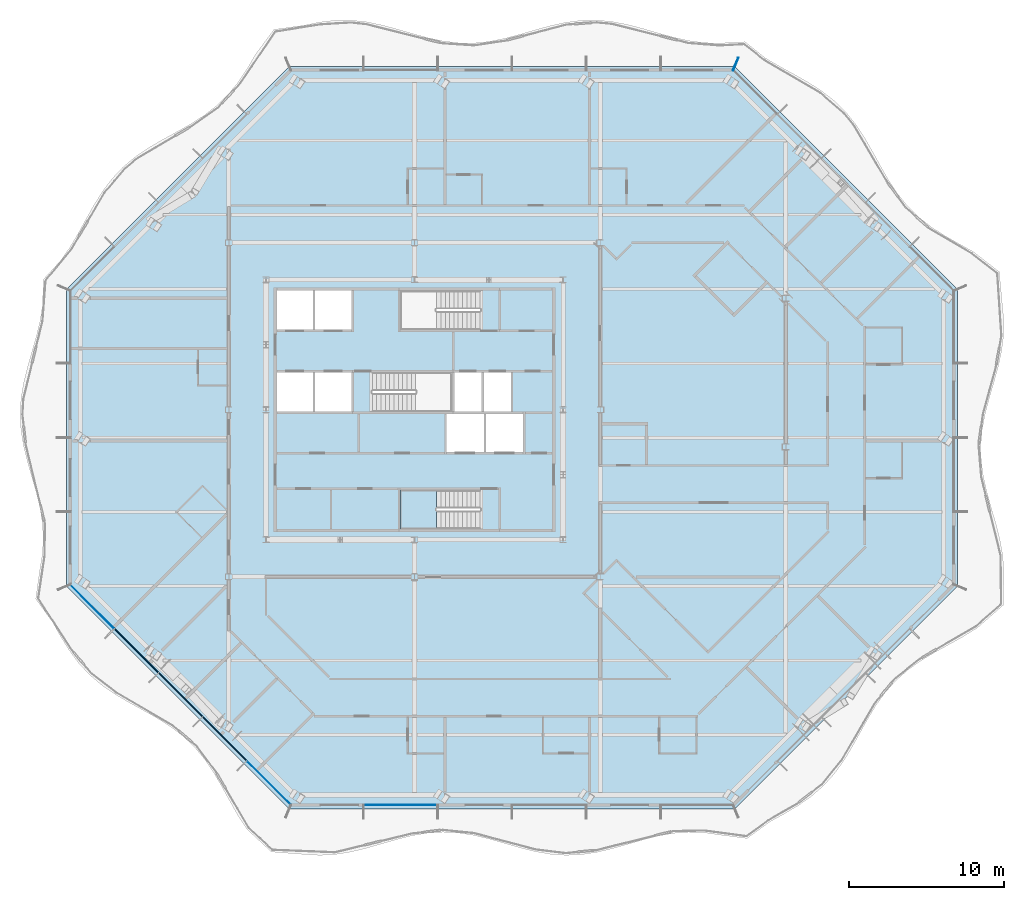
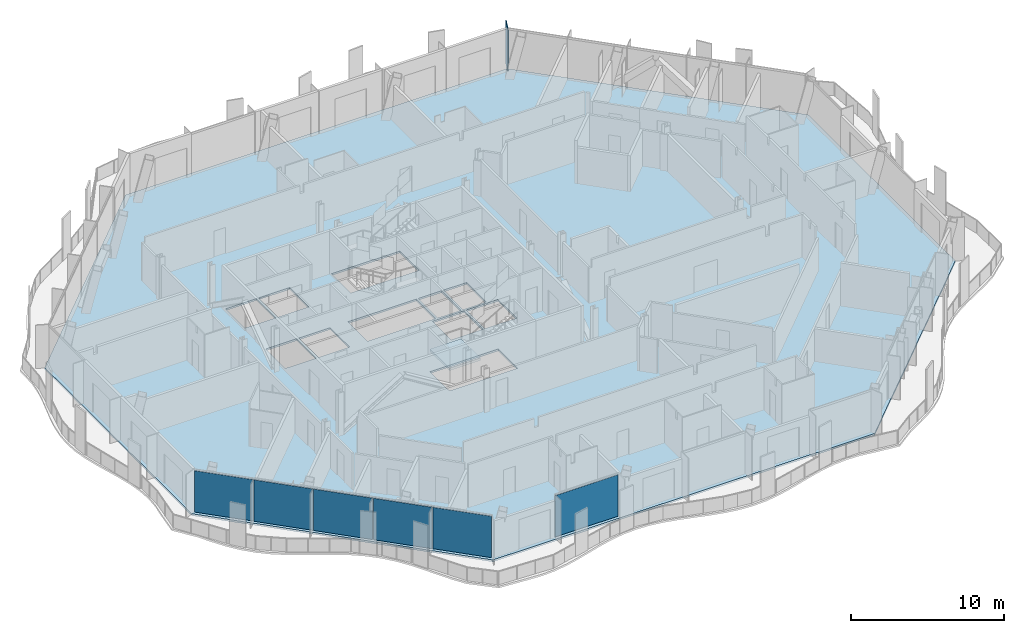
# One storey, part 6 of 19: 6 plates, 2 slabs, 1 member, 4 elements without a shape of their own.
"""IFC4 building model written with IfcOpenShell, lengths in metres."""

from ifc_helpers import new_model, si_unit, direction, frame, origin, origin_2d, place, context, subcontext, project, spatial, polyline, rectangle, outline, extrude, material, layer, layer_set, material_profile, profile_set, type_object, element, aggregate, save


model = new_model("IFC4")

# Units and contexts
model_context = context("Model", 3, precision=1e-05, world=origin(), true_north=direction((0.0, 1.0)))
body_context = subcontext(model_context, "Body", "Model", "MODEL_VIEW")
ifc_project = project(units=[si_unit("LENGTHUNIT", "METRE"), si_unit("AREAUNIT", "SQUARE_METRE"), si_unit("VOLUMEUNIT", "CUBIC_METRE"), si_unit("PLANEANGLEUNIT", "RADIAN"), si_unit("MASSUNIT", "GRAM", prefix="KILO")], contexts=[model_context])

# Site, building, storey
site_placement = place(None, origin())
site = spatial("IfcSite", under=ifc_project, at=site_placement, CompositionType="ELEMENT")
building_placement = place(site_placement, origin())
building = spatial("IfcBuilding", under=site, at=building_placement, Name="Cairn Pilgrim Tower", CompositionType="ELEMENT")
storey_placement = place(building_placement, frame((0.0, 0.0, 193.800048828125)))
storey = spatial("IfcBuildingStorey", under=building, at=storey_placement, Name="L49", CompositionType="ELEMENT", Elevation=193.800048828125)

# Curtain wall, member
ifc_material_1 = material(Name="Aluminium alloy 6063-T6 bronze anodised with Bronze tinted laminated low-E glass 8+16+8.8", Category="aluminium")
curtain_wall_type_1 = type_object("IfcCurtainWallType", Name="TOWER STICK CURTAIN WALL NS", PredefinedType="NOTDEFINED", material=ifc_material_1)
curtain_wall_1_placement = place(storey_placement, origin())
curtain_wall_1 = element("IfcCurtainWall", 1, at=curtain_wall_1_placement, inside=storey, type_object=curtain_wall_type_1, Name="Tower Stick Curtain Wall Ns N", PredefinedType="NOTDEFINED")
ifc_material_2 = material(Name="Aluminium alloy 6063-T6 bronze anodised", Category="aluminium")
ifc_material_profile = material_profile(ifc_material_2, rectangle(XDim=0.89990234375, YDim=0.06005859375, at=origin_2d()), Name="FIN MULLION 60x900 BRONZE")
ifc_profile_set = profile_set([ifc_material_profile], Name="Aluminium alloy 6063-T6 bronze anodised")
member_type = type_object("IfcMemberType", Name="FIN MULLION 60x900 BRONZE", PredefinedType="MULLION", material=ifc_profile_set)
member_placement = place(storey_placement, frame((27.957275390625, 24.738037109375, 0.0), z_axis=(0.0, 0.0, 1.0), x_axis=(0.382683432365, 0.923879532511, 0.0)))
member = element("IfcMember", 2, at=member_placement, type_object=member_type, Name="Fin mullion N1", PredefinedType="MULLION", context=body_context, shape_type="SweptSolid", body=[
    extrude(rectangle(XDim=0.89990234375, YDim=0.06005859375, at=origin_2d()), origin(), (0.0, 0.0, 1.0), 3.449951171875),
])
aggregate(curtain_wall_1, [member])

# Slab
ifc_material_3 = material(Name="Concrete C35/45", Category="concrete")
ifc_layer_1 = layer(ifc_material_3, 0.14990234375)
ifc_layer_set_1 = layer_set([ifc_layer_1], Name="COMPOSITE FLOOR SLAB 150")
slab_type_1 = type_object("IfcSlabType", Name="COMPOSITE FLOOR SLAB 150", PredefinedType="FLOOR", material=ifc_layer_set_1)
slab_1_placement = place(storey_placement, frame((0.0, 0.0, -0.150146484375)))
element("IfcSlab", 3, at=slab_1_placement, inside=storey, type_object=slab_type_1, Name="FLOOR SLAB L49", PredefinedType="FLOOR", context=body_context, shape_type="SweptSolid", body=[
    extrude(outline(polyline([(-0.89990234375, -23.39990234375), (27.89990234375, -23.39990234375), (42.300048828125, -9.0), (42.300048828125, 10.199951171875), (27.89990234375, 24.60009765625), (-0.89990234375, 24.60009765625), (-15.300048828125, 10.199951171875), (-15.300048828125, -9.0), (-0.89990234375, -23.39990234375)]), holes=[polyline([(9.27490234375, -0.324951171875), (11.675048828125, -0.324951171875), (11.675048828125, 2.125), (9.27490234375, 2.125), (9.27490234375, -0.324951171875)]), polyline([(11.824951171875, -0.324951171875), (14.22509765625, -0.324951171875), (14.22509765625, 2.125), (11.824951171875, 2.125), (11.824951171875, -0.324951171875)]), polyline([(-1.72509765625, 2.27490234375), (0.625, 2.27490234375), (0.625, 4.824951171875), (-1.72509765625, 4.824951171875), (-1.72509765625, 2.27490234375)]), polyline([(0.77490234375, 2.27490234375), (3.125, 2.27490234375), (3.125, 4.824951171875), (0.77490234375, 4.824951171875), (0.77490234375, 2.27490234375)]), polyline([(-1.72509765625, 7.574951171875), (0.625, 7.574951171875), (0.625, 10.10009765625), (-1.72509765625, 10.10009765625), (-1.72509765625, 7.574951171875)]), polyline([(0.77490234375, 7.574951171875), (3.125, 7.574951171875), (3.125, 10.10009765625), (0.77490234375, 10.10009765625), (0.77490234375, 7.574951171875)]), polyline([(9.77490234375, 2.27490234375), (11.52490234375, 2.27490234375), (11.52490234375, 4.824951171875), (9.77490234375, 4.824951171875), (9.77490234375, 2.27490234375)]), polyline([(11.675048828125, 2.27490234375), (13.425048828125, 2.27490234375), (13.425048828125, 4.824951171875), (11.675048828125, 4.824951171875), (11.675048828125, 2.27490234375)]), polyline([(11.424560546875, -2.77490234375), (6.27490234375, -2.77490234375), (6.27490234375, -5.300048828125), (11.424560546875, -5.300048828125), (11.424560546875, -2.77490234375)]), polyline([(4.4755859375, 2.27490234375), (9.625, 2.27490234375), (9.625, 4.824951171875), (4.4755859375, 4.824951171875), (4.4755859375, 2.27490234375)]), polyline([(11.424560546875, 10.10009765625), (6.27490234375, 10.10009765625), (6.27490234375, 7.574951171875), (11.424560546875, 7.574951171875), (11.424560546875, 10.10009765625)])]), origin(), (0.0, 0.0, 1.0), 0.150146484375),
])

# Curtain wall, plates
curtain_wall_type_2 = type_object("IfcCurtainWallType", Name="CHAMFER CORNER CURTAIN WALL", PredefinedType="NOTDEFINED", material=ifc_material_1)
curtain_wall_2_placement = place(storey_placement, origin())
curtain_wall_2 = element("IfcCurtainWall", 4, at=curtain_wall_2_placement, inside=storey, type_object=curtain_wall_type_2, Name="Chamfer Corner Curtain Wall SW", PredefinedType="NOTDEFINED")
ifc_material_4 = material(Name="Bronze anodised aluminium spandrel panel with mineral wool insulation", Category="aluminium")
ifc_layer_2 = layer(ifc_material_4, 0.06005859375)
ifc_layer_set_2 = layer_set([ifc_layer_2], Name="SPANDREL PANEL 3972x3300")
plate_type_1 = type_object("IfcPlateType", Name="SPANDREL PANEL 3972x3300", PredefinedType="CURTAIN_PANEL", material=ifc_layer_set_2)
plate_1_placement = place(storey_placement, frame((-10.77392578125, -13.172607421875, 0.0), z_axis=(0.0, 0.0, 1.0), x_axis=(0.707106781187, -0.707106781187, 0.0)))
plate_1 = element("IfcPlate", 5, at=plate_1_placement, type_object=plate_type_1, Name="Spandrel Panel SW2-1", PredefinedType="CURTAIN_PANEL", context=body_context, shape_type="SweptSolid", body=[
    extrude(rectangle(XDim=3.971435546875, YDim=0.06005859375, at=origin_2d()), origin(), (0.0, 0.0, 1.0), 3.300048828125),
])
plate_2_placement = place(storey_placement, frame((-7.92333984375, -16.023193359375, 0.0), z_axis=(0.0, 0.0, 1.0), x_axis=(0.707106781187, -0.707106781187, 0.0)))
plate_2 = element("IfcPlate", 6, at=plate_2_placement, type_object=plate_type_1, Name="Spandrel Panel SW3-1", PredefinedType="CURTAIN_PANEL", context=body_context, shape_type="SweptSolid", body=[
    extrude(rectangle(XDim=3.971435546875, YDim=0.06005859375, at=origin_2d()), origin(), (0.0, 0.0, 1.0), 3.300048828125),
])
plate_3_placement = place(storey_placement, frame((-5.072509765625, -18.8740234375, 0.0), z_axis=(0.0, 0.0, 1.0), x_axis=(0.707106781187, -0.707106781187, 0.0)))
plate_3 = element("IfcPlate", 7, at=plate_3_placement, type_object=plate_type_1, Name="Spandrel Panel SW4-1", PredefinedType="CURTAIN_PANEL", context=body_context, shape_type="SweptSolid", body=[
    extrude(rectangle(XDim=3.971435546875, YDim=0.06005859375, at=origin_2d()), origin(), (0.0, 0.0, 1.0), 3.300048828125),
])

# Stair, slab
ifc_material_5 = material(Name="Concrete C32/40", Category="concrete")
stair_type = type_object("IfcStairType", Name="EXIT STAIR 1200", PredefinedType="HALF_TURN_STAIR", material=ifc_material_5)
stair_placement = place(storey_placement, origin())
stair = element("IfcStair", 8, at=stair_placement, inside=storey, type_object=stair_type, Name="L49 Exit Stair A", PredefinedType="HALF_TURN_STAIR")
ifc_layer_3 = layer(ifc_material_5, 0.199951171875)
ifc_layer_set_3 = layer_set([ifc_layer_3], Name="STAIR LANDING 200")
slab_type_2 = type_object("IfcSlabType", Name="STAIR LANDING 200", PredefinedType="LANDING", material=ifc_layer_set_3)
slab_2_placement = place(storey_placement, frame((0.0, 0.0, 1.599853515625)))
slab_2 = element("IfcSlab", 9, at=slab_2_placement, type_object=slab_type_2, Name="ST-A landing 1", PredefinedType="LANDING", context=body_context, shape_type="SweptSolid", body=[
    extrude(outline(polyline([(8.625, -2.77490234375), (6.27490234375, -2.77490234375), (6.27490234375, -5.300048828125), (8.625, -5.300048828125), (8.625, -2.77490234375)])), origin(), (0.0, 0.0, 1.0), 0.2001953125),
])
aggregate(stair, [slab_2])

# Plate
ifc_material_6 = material(Name="Bronze tinted laminated low-E glass 8+16+8.8", Category="glass")
ifc_layer_4 = layer(ifc_material_6, 0.033935546875)
ifc_layer_set_4 = layer_set([ifc_layer_4], Name="VISION GLAZING 3962x3300")
plate_type_2 = type_object("IfcPlateType", Name="VISION GLAZING 3962x3300", PredefinedType="CURTAIN_PANEL", material=ifc_layer_set_4)
plate_4_placement = place(storey_placement, frame((-13.62109375, -10.325439453125, 0.0), z_axis=(0.0, 0.0, 1.0), x_axis=(0.707106781187, -0.707106781187, 0.0)))
plate_4 = element("IfcPlate", 10, at=plate_4_placement, type_object=plate_type_2, Name="Vision Glazing SW1-1", PredefinedType="CURTAIN_PANEL", context=body_context, shape_type="SweptSolid", body=[
    extrude(rectangle(XDim=3.96142578125, YDim=0.033935546875, at=origin_2d()), origin(), (0.0, 0.0, 1.0), 3.300048828125),
])

plate_5_placement = place(storey_placement, frame((-2.225341796875, -21.72119140625, 0.0), z_axis=(0.0, 0.0, 1.0), x_axis=(0.707106781187, -0.707106781187, 0.0)))
plate_5 = element("IfcPlate", 11, at=plate_5_placement, type_object=plate_type_2, Name="Vision Glazing SW5-1", PredefinedType="CURTAIN_PANEL", context=body_context, shape_type="SweptSolid", body=[
    extrude(rectangle(XDim=3.96142578125, YDim=0.033935546875, at=origin_2d()), origin(), (0.0, 0.0, 1.0), 3.300048828125),
])

aggregate(curtain_wall_2, [plate_4, plate_1, plate_2, plate_3, plate_5])

# Curtain wall, plate
curtain_wall_3_placement = place(storey_placement, origin())
curtain_wall_3 = element("IfcCurtainWall", 12, at=curtain_wall_3_placement, inside=storey, type_object=curtain_wall_type_1, Name="Tower Stick Curtain Wall Ns S", PredefinedType="NOTDEFINED")
ifc_layer_5 = layer(ifc_material_6, 0.033935546875)
ifc_layer_set_5 = layer_set([ifc_layer_5], Name="VISION GLAZING 4740x3300")
plate_type_3 = type_object("IfcPlateType", Name="VISION GLAZING 4740x3300", PredefinedType="CURTAIN_PANEL", material=ifc_layer_set_5)
plate_6_placement = place(storey_placement, frame((6.300048828125, -23.14990234375, 0.0), z_axis=(0.0, 0.0, 1.0), x_axis=(1.0, 0.0, 0.0)))
plate_6 = element("IfcPlate", 13, at=plate_6_placement, type_object=plate_type_3, Name="Vision Glazing S2-1", PredefinedType="CURTAIN_PANEL", context=body_context, shape_type="SweptSolid", body=[
    extrude(rectangle(XDim=4.739990234375, YDim=0.033935546875, at=origin_2d()), origin(), (0.0, 0.0, 1.0), 3.300048828125),
])
aggregate(curtain_wall_3, [plate_6])

save(model, "model.ifc")
